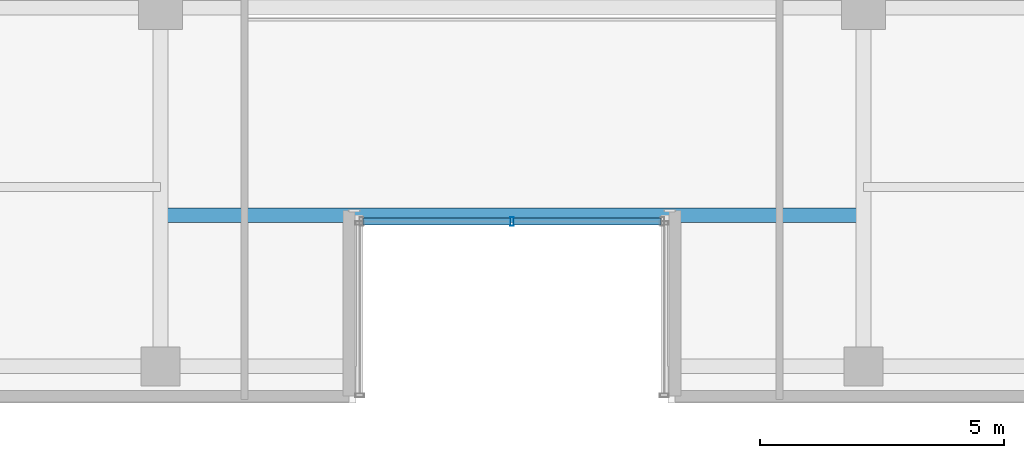
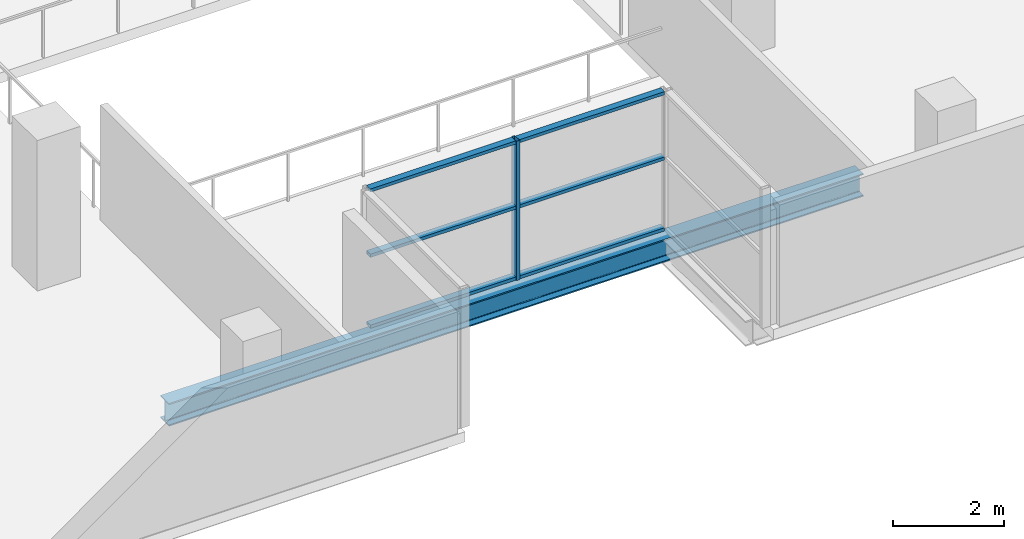
# One storey, part 6 of 25: 7 members, 1 beam, 1 element without a shape of its own.
"""IFC4 building model written with IfcOpenShell, lengths in metres."""

from ifc_helpers import new_model, si_unit, direction, frame, origin, origin_2d, place, context, subcontext, project, spatial, hollow_rectangle, i_section, extrude, source, transform, mapped, material, layer, layer_set, material_profile, profile_set, type_object, element, aggregate, save


model = new_model("IFC4")

# Units and contexts
model_context = context("Model", 3, precision=1e-05, world=origin(), true_north=direction((0.0, 1.0)))
body_context = subcontext(model_context, "Body", "Model", "MODEL_VIEW")
ifc_project = project(units=[si_unit("LENGTHUNIT", "METRE"), si_unit("AREAUNIT", "SQUARE_METRE"), si_unit("VOLUMEUNIT", "CUBIC_METRE"), si_unit("PLANEANGLEUNIT", "RADIAN"), si_unit("MASSUNIT", "GRAM", prefix="KILO")], contexts=[model_context])

# Site, building, storey
site_placement = place(None, origin())
site = spatial("IfcSite", under=ifc_project, at=site_placement, CompositionType="ELEMENT")
building_placement = place(site_placement, origin())
building = spatial("IfcBuilding", under=site, at=building_placement, Name="Zarnakvel Exchange Tower", CompositionType="ELEMENT")
storey_placement = place(building_placement, frame((0.0, 0.0, 93.39990234375)))
storey = spatial("IfcBuildingStorey", under=building, at=storey_placement, Name="L25", CompositionType="ELEMENT", Elevation=93.39990234375)

# Beam
ifc_material_1 = material(Name="Steel S355", Category="steel")
ifc_material_profile_1 = material_profile(ifc_material_1, i_section(OverallWidth=0.300048828125, OverallDepth=0.5, WebThickness=0.014404296875, FlangeThickness=0.028076171875, FilletRadius=0.027099609375, at=origin_2d()))
ifc_profile_set_1 = profile_set([ifc_material_profile_1], Name="Steel S355")
beam_type = type_object("IfcBeamType", Name="SP-02", PredefinedType="SPANDREL", material=ifc_profile_set_1)
beam_placement = place(storey_placement, frame((-7.199951171875, -13.85009765625, -0.474853515625), z_axis=(1.0, 0.0, 0.0), x_axis=(0.0, 1.0, 0.0)))
element("IfcBeam", 1, at=beam_placement, inside=storey, type_object=beam_type, Name="L25 South Slot Head Trimmer Girder", PredefinedType="SPANDREL", context=body_context, shape_type="SweptSolid", body=[
    extrude(i_section(OverallWidth=0.300048828125, OverallDepth=0.5, WebThickness=0.014404296875, FlangeThickness=0.028076171875, FilletRadius=0.027099609375, at=origin_2d()), origin(), (0.0, 0.0, 1.0), 14.39990234375),
])

# Curtain wall, members
ifc_material_2 = material(Name="Architectural Bronze Anodised Aluminium", Category="aluminium")
ifc_layer = layer(ifc_material_2, 0.179931640625)
ifc_layer_set = layer_set([ifc_layer], Name="Architectural Bronze Anodised Aluminium")
curtain_wall_type = type_object("IfcCurtainWallType", Name="CW-05", PredefinedType="NOTDEFINED", material=ifc_layer_set)
curtain_wall_placement = place(storey_placement, origin())
curtain_wall = element("IfcCurtainWall", 2, at=curtain_wall_placement, inside=storey, type_object=curtain_wall_type, Name="L25 Curtain Wall CW-L25-SLB (CW-05)", PredefinedType="NOTDEFINED")
ifc_material_profile_2 = material_profile(ifc_material_2, hollow_rectangle(XDim=0.179931640625, YDim=0.070068359375, WallThickness=0.00390625, at=origin_2d()))
ifc_profile_set_2 = profile_set([ifc_material_profile_2], Name="Architectural Bronze Anodised Aluminium")
member_type_1 = type_object("IfcMemberType", Name="CWM-05", PredefinedType="MULLION", material=ifc_profile_set_2)
shared_shape_1 = source(origin(), body_context, "Body", "SweptSolid", [
    extrude(hollow_rectangle(XDim=0.179931640625, YDim=0.070068359375, WallThickness=0.00390625, at=origin_2d()), origin(), (0.0, 0.0, 1.0), 3.05517578125),
])
member_1_placement = place(storey_placement, frame((0.0, -13.97998046875, 0.0), z_axis=(0.0, 0.0, 1.0), x_axis=(0.0, 1.0, 0.0)))
member_1 = element("IfcMember", 3, at=member_1_placement, type_object=member_type_1, Name="CW-05 mullion 2", PredefinedType="MULLION", context=body_context, shape_type="MappedRepresentation", body=[
    mapped(shared_shape_1, transform((0.0, 0.0, 0.0), x_axis=(1.0, 0.0, 0.0), y_axis=(0.0, 1.0, 0.0), z_axis=(0.0, 0.0, 1.0), scale=1.0)),
])
ifc_material_profile_3 = material_profile(ifc_material_2, hollow_rectangle(XDim=0.139892578125, YDim=0.070068359375, WallThickness=0.00390625, at=origin_2d()))
ifc_profile_set_3 = profile_set([ifc_material_profile_3], Name="Architectural Bronze Anodised Aluminium")
member_type_2 = type_object("IfcMemberType", Name="CWT-05", PredefinedType="USERDEFINED", material=ifc_profile_set_3)
shared_shape_2 = source(origin(), body_context, "Body", "SweptSolid", [
    extrude(hollow_rectangle(XDim=0.139892578125, YDim=0.070068359375, WallThickness=0.00390625, at=origin_2d()), origin(), (0.0, 0.0, 1.0), 3.01513671875),
])
member_2_placement = place(storey_placement, frame((-3.050048828125, -13.97998046875, 0.03515625), z_axis=(1.0, 0.0, 0.0), x_axis=(0.0, 1.0, 0.0)))
member_2 = element("IfcMember", 4, at=member_2_placement, type_object=member_type_2, Name="CW-05 transom 1.1", ObjectType="TRANSOM", PredefinedType="USERDEFINED", context=body_context, shape_type="MappedRepresentation", body=[
    mapped(shared_shape_2, transform((0.0, 0.0, 0.0), x_axis=(1.0, 0.0, 0.0), y_axis=(0.0, 1.0, 0.0), z_axis=(0.0, 0.0, 1.0), scale=1.0)),
])
member_3_placement = place(storey_placement, frame((-3.050048828125, -13.97998046875, 1.588623046875), z_axis=(1.0, 0.0, 0.0), x_axis=(0.0, 1.0, 0.0)))
member_3 = element("IfcMember", 5, at=member_3_placement, type_object=member_type_2, Name="CW-05 transom 1.2", ObjectType="TRANSOM", PredefinedType="USERDEFINED", context=body_context, shape_type="MappedRepresentation", body=[
    mapped(shared_shape_2, transform((0.0, 0.0, 0.0), x_axis=(1.0, 0.0, 0.0), y_axis=(0.0, 1.0, 0.0), z_axis=(0.0, 0.0, 1.0), scale=1.0)),
])
member_4_placement = place(storey_placement, frame((-3.050048828125, -13.97998046875, 3.02001953125), z_axis=(1.0, 0.0, 0.0), x_axis=(0.0, 1.0, 0.0)))
member_4 = element("IfcMember", 6, at=member_4_placement, type_object=member_type_2, Name="CW-05 transom 1.3", ObjectType="TRANSOM", PredefinedType="USERDEFINED", context=body_context, shape_type="MappedRepresentation", body=[
    mapped(shared_shape_2, transform((0.0, 0.0, 0.0), x_axis=(1.0, 0.0, 0.0), y_axis=(0.0, 1.0, 0.0), z_axis=(0.0, 0.0, 1.0), scale=1.0)),
])
member_5_placement = place(storey_placement, frame((0.034912109375, -13.97998046875, 0.03515625), z_axis=(1.0, 0.0, 0.0), x_axis=(0.0, 1.0, 0.0)))
member_5 = element("IfcMember", 7, at=member_5_placement, type_object=member_type_2, Name="CW-05 transom 2.1", ObjectType="TRANSOM", PredefinedType="USERDEFINED", context=body_context, shape_type="MappedRepresentation", body=[
    mapped(shared_shape_2, transform((0.0, 0.0, 0.0), x_axis=(1.0, 0.0, 0.0), y_axis=(0.0, 1.0, 0.0), z_axis=(0.0, 0.0, 1.0), scale=1.0)),
])
member_6_placement = place(storey_placement, frame((0.034912109375, -13.97998046875, 1.588623046875), z_axis=(1.0, 0.0, 0.0), x_axis=(0.0, 1.0, 0.0)))
member_6 = element("IfcMember", 8, at=member_6_placement, type_object=member_type_2, Name="CW-05 transom 2.2", ObjectType="TRANSOM", PredefinedType="USERDEFINED", context=body_context, shape_type="MappedRepresentation", body=[
    mapped(shared_shape_2, transform((0.0, 0.0, 0.0), x_axis=(1.0, 0.0, 0.0), y_axis=(0.0, 1.0, 0.0), z_axis=(0.0, 0.0, 1.0), scale=1.0)),
])
member_7_placement = place(storey_placement, frame((0.034912109375, -13.97998046875, 3.02001953125), z_axis=(1.0, 0.0, 0.0), x_axis=(0.0, 1.0, 0.0)))
member_7 = element("IfcMember", 9, at=member_7_placement, type_object=member_type_2, Name="CW-05 transom 2.3", ObjectType="TRANSOM", PredefinedType="USERDEFINED", context=body_context, shape_type="MappedRepresentation", body=[
    mapped(shared_shape_2, transform((0.0, 0.0, 0.0), x_axis=(1.0, 0.0, 0.0), y_axis=(0.0, 1.0, 0.0), z_axis=(0.0, 0.0, 1.0), scale=1.0)),
])
aggregate(curtain_wall, [member_1, member_2, member_3, member_4, member_5, member_6, member_7])

save(model, "model.ifc")
